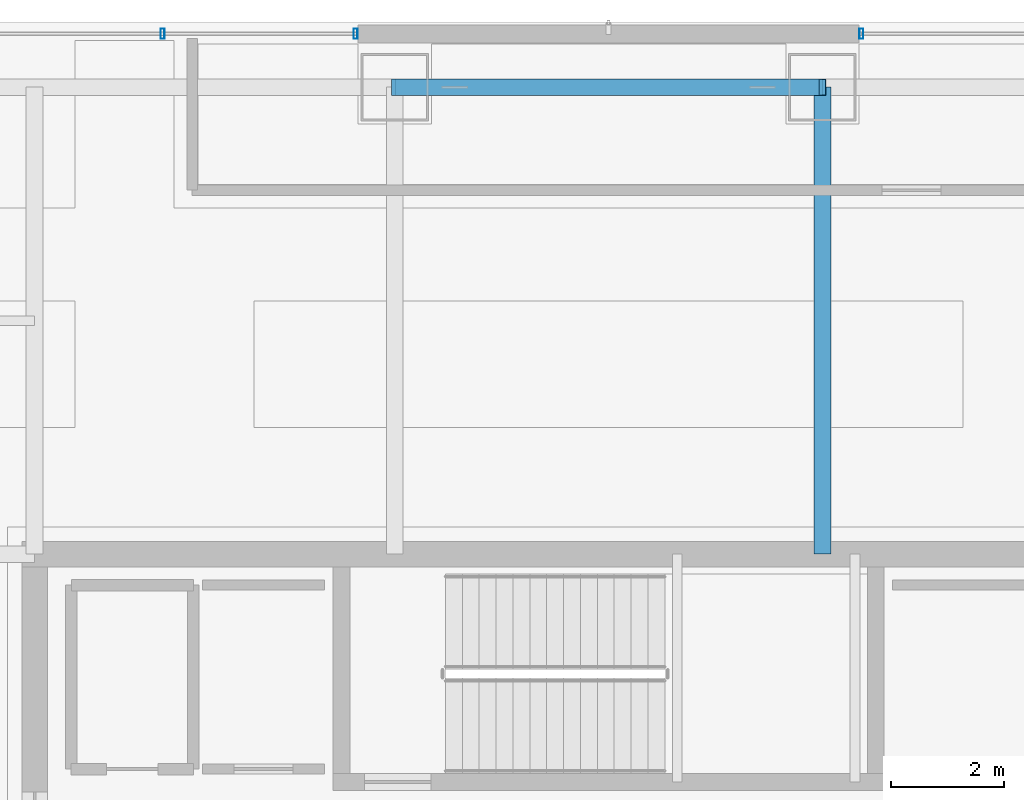
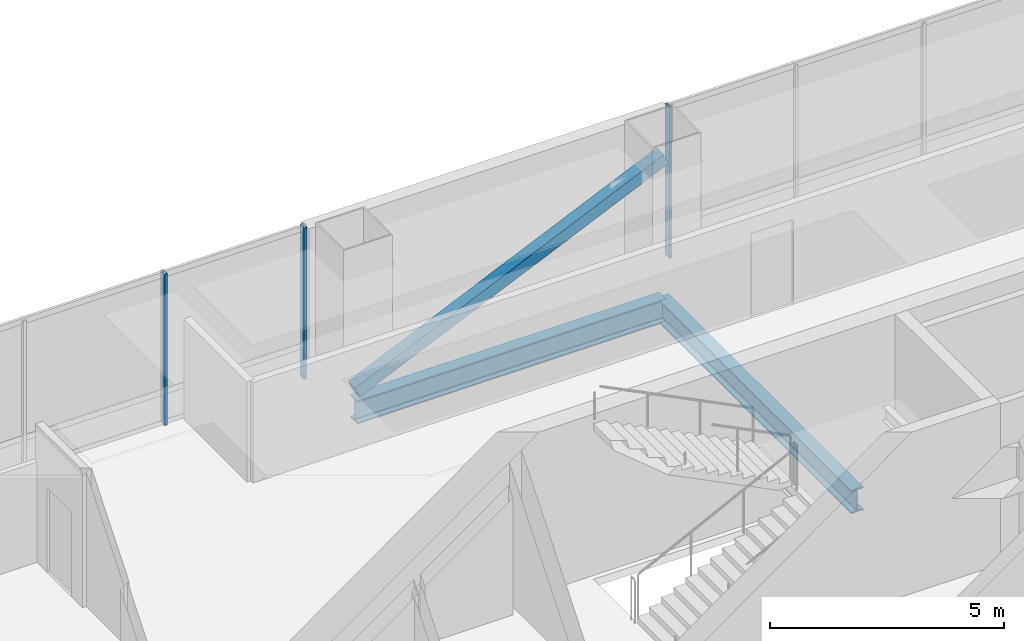
# One storey, part 29 of 46: 4 members, 2 beams, 2 elements without a shape of their own.
"""IFC4 building model written with IfcOpenShell, lengths in metres."""

from ifc_helpers import new_model, si_unit, direction, frame, origin, origin_2d, place, context, subcontext, project, spatial, hollow_rectangle, i_section, extrude, material, material_profile, profile_set, type_object, element, aggregate, save


model = new_model("IFC4")

# Units and contexts
model_context = context("Model", 3, precision=1e-05, world=origin(), true_north=direction((0.0, 1.0)))
body_context = subcontext(model_context, "Body", "Model", "MODEL_VIEW")
ifc_project = project(units=[si_unit("LENGTHUNIT", "METRE"), si_unit("AREAUNIT", "SQUARE_METRE"), si_unit("VOLUMEUNIT", "CUBIC_METRE"), si_unit("PLANEANGLEUNIT", "RADIAN"), si_unit("MASSUNIT", "GRAM", prefix="KILO")], contexts=[model_context])

# Site, building, storey
site_placement = place(None, origin())
site = spatial("IfcSite", under=ifc_project, at=site_placement, CompositionType="ELEMENT")
building_placement = place(site_placement, origin())
building = spatial("IfcBuilding", under=site, at=building_placement, Name="Punatoya Terracotta Tower", CompositionType="ELEMENT")
storey_placement = place(building_placement, frame((0.0, 0.0, 330.0)))
storey = spatial("IfcBuildingStorey", under=building, at=storey_placement, Name="L78", CompositionType="ELEMENT", Elevation=330.0)

# Beams
ifc_material_1 = material(Name="Steel S355", Category="steel")
ifc_material_profile_1 = material_profile(ifc_material_1, i_section(OverallWidth=0.300048828125, OverallDepth=0.60009765625, WebThickness=0.015380859375, FlangeThickness=0.030029296875, FilletRadius=0.01806640625, at=origin_2d()))
ifc_profile_set_1 = profile_set([ifc_material_profile_1], Name="Steel S355")
beam_type = type_object("IfcBeamType", Name="BM-PRI-600", PredefinedType="BEAM", material=ifc_profile_set_1)
beam_1_placement = place(storey_placement, frame((-3.800048828125, 17.5, -0.5), z_axis=(1.0, 0.0, 0.0), x_axis=(0.0, 1.0, 0.0)))
element("IfcBeam", 1, at=beam_1_placement, inside=storey, type_object=beam_type, Name="BM-L78-RG-N2", PredefinedType="BEAM", context=body_context, shape_type="SweptSolid", body=[
    extrude(i_section(OverallWidth=0.300048828125, OverallDepth=0.60009765625, WebThickness=0.015380859375, FlangeThickness=0.030029296875, FilletRadius=0.01806640625, at=origin_2d()), origin(), (0.0, 0.0, 1.0), 7.60009765625),
])
beam_2_placement = place(storey_placement, frame((3.800048828125, 9.199951171875, -0.5), z_axis=(0.0, 1.0, 0.0), x_axis=(-1.0, 0.0, 0.0)))
element("IfcBeam", 2, at=beam_2_placement, inside=storey, type_object=beam_type, Name="BM-L78-PR-N3", PredefinedType="BEAM", context=body_context, shape_type="SweptSolid", body=[
    extrude(i_section(OverallWidth=0.300048828125, OverallDepth=0.60009765625, WebThickness=0.015380859375, FlangeThickness=0.030029296875, FilletRadius=0.01806640625, at=origin_2d()), origin(), (0.0, 0.0, 1.0), 8.300048828125),
])

# Curtain wall, member
ifc_material_2 = material(Name="Aluminium 6063-T6 + Double Low-E Glass", Category="aluminium")
curtain_wall_type = type_object("IfcCurtainWallType", Name="CW-OBS", PredefinedType="NOTDEFINED", material=ifc_material_2)
curtain_wall_1_placement = place(storey_placement, origin())
curtain_wall_1 = element("IfcCurtainWall", 3, at=curtain_wall_1_placement, inside=storey, type_object=curtain_wall_type, Name="L78 Curtain Wall CW-L78-N09-1", PredefinedType="NOTDEFINED")
ifc_material_3 = material(Name="Aluminium 6063-T6", Category="aluminium")
ifc_material_profile_2 = material_profile(ifc_material_3, hollow_rectangle(XDim=0.070068359375, YDim=0.179931640625, WallThickness=0.00390625, at=origin_2d()))
ifc_profile_set_2 = profile_set([ifc_material_profile_2], Name="Aluminium 6063-T6")
member_type_1 = type_object("IfcMemberType", Name="CW-MUL-M3", PredefinedType="MULLION", material=ifc_profile_set_2)
member_1_placement = place(storey_placement, frame((4.4951171875, 18.449951171875, 0.0), z_axis=(0.0, 0.0, 1.0), x_axis=(1.0, 0.0, 0.0)))
member_1 = element("IfcMember", 4, at=member_1_placement, type_object=member_type_1, Name="CW-L78-N09-1 Mullion 04", PredefinedType="MULLION", context=body_context, shape_type="SweptSolid", body=[
    extrude(hollow_rectangle(XDim=0.070068359375, YDim=0.179931640625, WallThickness=0.00390625, at=origin_2d()), origin(), (0.0, 0.0, 1.0), 3.93994140625),
])
aggregate(curtain_wall_1, [member_1])

# Curtain wall, members
curtain_wall_2_placement = place(storey_placement, origin())
curtain_wall_2 = element("IfcCurtainWall", 5, at=curtain_wall_2_placement, inside=storey, type_object=curtain_wall_type, Name="L78 Curtain Wall CW-L78-N09-2", PredefinedType="NOTDEFINED")
member_2_placement = place(storey_placement, frame((-4.4951171875, 18.449951171875, 0.0), z_axis=(0.0, 0.0, 1.0), x_axis=(1.0, 0.0, 0.0)))
member_2 = element("IfcMember", 6, at=member_2_placement, type_object=member_type_1, Name="CW-L78-N09-2 Mullion 00", PredefinedType="MULLION", context=body_context, shape_type="SweptSolid", body=[
    extrude(hollow_rectangle(XDim=0.070068359375, YDim=0.179931640625, WallThickness=0.00390625, at=origin_2d()), origin(), (0.0, 0.0, 1.0), 3.93994140625),
])
member_3_placement = place(storey_placement, frame((-7.927490234375, 18.449951171875, 0.0), z_axis=(0.0, 0.0, 1.0), x_axis=(1.0, 0.0, 0.0)))
member_3 = element("IfcMember", 7, at=member_3_placement, type_object=member_type_1, Name="CW-L78-N09-2 Mullion 01", PredefinedType="MULLION", context=body_context, shape_type="SweptSolid", body=[
    extrude(hollow_rectangle(XDim=0.070068359375, YDim=0.179931640625, WallThickness=0.00390625, at=origin_2d()), origin(), (0.0, 0.0, 1.0), 3.93994140625),
])
aggregate(curtain_wall_2, [member_2, member_3])

# Member
ifc_material_profile_3 = material_profile(ifc_material_1, hollow_rectangle(XDim=0.300048828125, YDim=0.300048828125, WallThickness=0.01611328125, at=origin_2d()))
ifc_profile_set_3 = profile_set([ifc_material_profile_3], Name="Steel S355")
member_type_2 = type_object("IfcMemberType", Name="MEM-WND-300", PredefinedType="BRACE", material=ifc_profile_set_3)
member_4_placement = place(storey_placement, frame((-3.800048828125, 17.5, 0.02001953125), z_axis=(0.911926986328, 0.0, 0.410352496771), x_axis=(0.0, 1.0, 0.0)))
element("IfcMember", 8, at=member_4_placement, inside=storey, type_object=member_type_2, Name="L78 Perimeter Wind Brace N2", PredefinedType="BRACE", context=body_context, shape_type="SweptSolid", body=[
    extrude(hollow_rectangle(XDim=0.300048828125, YDim=0.300048828125, WallThickness=0.01611328125, at=origin_2d()), origin(), (0.0, 0.0, 1.0), 8.334228515625),
])

save(model, "model.ifc")
